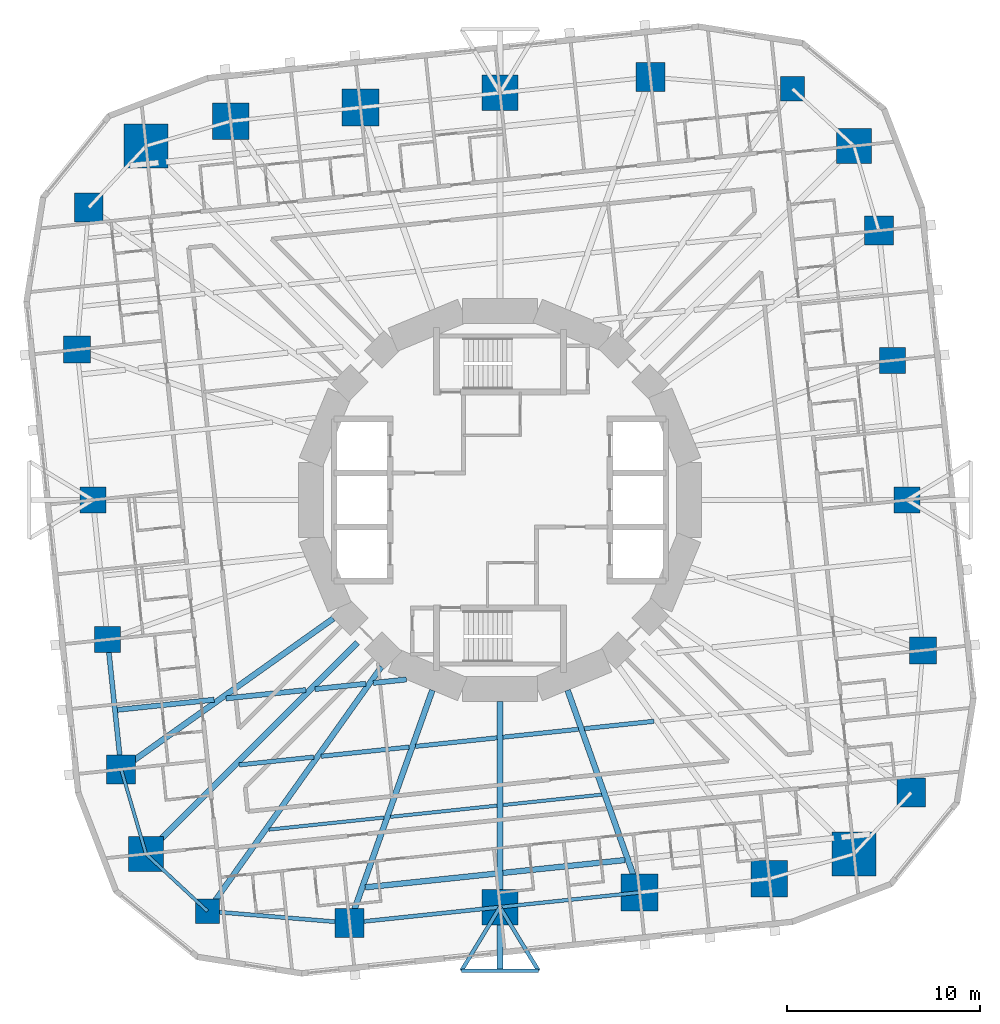
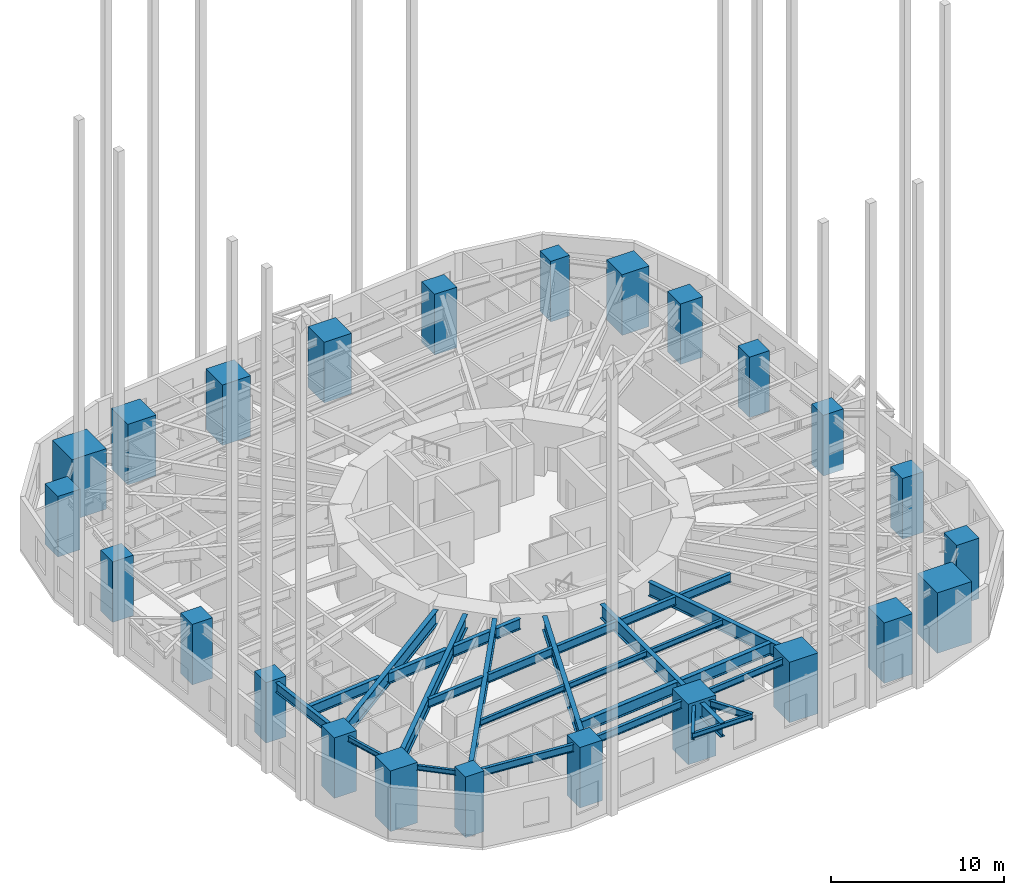
# One storey, part 1 of 13: 29 beams, 24 columns.
"""IFC4 building model written with IfcOpenShell, lengths in metres."""

import ifcopenshell
import ifcopenshell.guid

model = None  # the IFC model being written
_history = None  # IfcOwnerHistory: only IFC2X3 demands one
_inside = {}  # id of a spatial element -> (the spatial element, [elements in it])
_under = {}  # id of a project, library or spatial element -> (it, [spatial elements below it])
_declared = {}  # id of a project -> (the project, [libraries it declares])
_typed = {}  # id of a type object -> (the type object, [elements of that type])
_made_of = {}  # id of a material, layer set ... -> (it, [elements and type objects made of it])


def new_model(schema):
    """Start an empty IFC model of exactly this schema.

    Asked for "IFC4X3", IfcOpenShell would pick the latest addendum, in which some entities
    have other attributes; the version numbers below select the first issue.
    IFC2X3 requires an IfcOwnerHistory on every rooted entity: one is made here for all.
    """
    global model, _history
    if schema == "IFC4X3":
        model = ifcopenshell.file(schema_version=(4, 3, 0, 0))
    else:
        model = ifcopenshell.file(schema=schema)
    _inside.clear()
    _under.clear()
    _declared.clear()
    _typed.clear()
    _made_of.clear()
    _history = None
    if model.schema == "IFC2X3":
        org = make("IfcOrganization", Name="unknown")
        user = make(
            "IfcPersonAndOrganization",
            ThePerson=make("IfcPerson", FamilyName="unknown"),
            TheOrganization=org,
        )
        app = make(
            "IfcApplication",
            ApplicationDeveloper=org,
            Version="unknown",
            ApplicationFullName="unknown",
            ApplicationIdentifier="unknown",
        )
        _history = make(
            "IfcOwnerHistory",
            OwningUser=user,
            OwningApplication=app,
            ChangeAction="ADDED",
            CreationDate=0,
        )
    return model


def make(cls, **values):
    """One entity of the class cls with the attributes given. An attribute that is None is left unset."""
    return model.create_entity(
        cls, **{name: value for name, value in values.items() if value is not None}
    )


def rooted(cls, **values):
    """An entity with a GlobalId (a new one), such as an element, a storey or a relation."""
    return make(cls, GlobalId=ifcopenshell.guid.new(), OwnerHistory=_history, **values)


def si_unit(unit_type, name, prefix=None):
    """IfcSIUnit, for example si_unit("LENGTHUNIT", "METRE", prefix="MILLI")."""
    return make("IfcSIUnit", UnitType=unit_type, Prefix=prefix, Name=name)


def assignment(units):
    """IfcUnitAssignment: the units of a project."""
    return None if units is None else make("IfcUnitAssignment", Units=units)


def point(xyz):
    """IfcCartesianPoint."""
    return None if xyz is None else make("IfcCartesianPoint", Coordinates=xyz)


def direction(xyz):
    """IfcDirection."""
    return None if xyz is None else make("IfcDirection", DirectionRatios=xyz)


def frame(location, z_axis=None, x_axis=None):
    """IfcAxis2Placement3D, a coordinate frame: its origin and axes. An axis left out is left unset."""
    return make(
        "IfcAxis2Placement3D",
        Location=point(location),
        Axis=direction(z_axis),
        RefDirection=direction(x_axis),
    )


def frame_2d(location, x_axis=None):
    """IfcAxis2Placement2D, a coordinate frame in the plane: its origin and x axis."""
    return make(
        "IfcAxis2Placement2D", Location=point(location), RefDirection=direction(x_axis)
    )


def origin():
    """The frame at (0, 0, 0) with its axes left unset."""
    return frame((0.0, 0.0, 0.0))


def origin_2d():
    """The frame at (0, 0) in the plane with its x axis left unset."""
    return frame_2d((0.0, 0.0))


def place(relative_to, where):
    """IfcLocalPlacement: puts the frame where relative to a parent placement (None: the world)."""
    return make(
        "IfcLocalPlacement", PlacementRelTo=relative_to, RelativePlacement=where
    )


def context(
    kind, dimensions, precision=None, world=None, true_north=None, identifier=None
):
    """IfcGeometricRepresentationContext, for example the 3D "Model" context."""
    return make(
        "IfcGeometricRepresentationContext",
        ContextIdentifier=identifier,
        ContextType=kind,
        CoordinateSpaceDimension=dimensions,
        Precision=precision,
        WorldCoordinateSystem=world,
        TrueNorth=true_north,
    )


def subcontext(parent, identifier, kind, view, scale=None):
    """IfcGeometricRepresentationSubContext, for example "Body" below "Model"."""
    return make(
        "IfcGeometricRepresentationSubContext",
        ContextIdentifier=identifier,
        ContextType=kind,
        ParentContext=parent,
        TargetScale=scale,
        TargetView=view,
    )


def project(units=None, contexts=None):
    """IfcProject with its units and contexts."""
    return rooted(
        "IfcProject",
        Name="project",
        RepresentationContexts=contexts,
        UnitsInContext=assignment(units),
    )


def spatial(cls, under=None, at=None, **own):
    """A site, building, storey or space (cls), placed at a placement, below another one or the project."""
    s = rooted(cls, ObjectPlacement=at, **own)
    if under is not None:
        _under.setdefault(under.id(), (under, []))[1].append(s)
    return s


def profile(cls, at=None, kind="AREA", **sizes):
    """A parametric profile (cls). Its sizes go by their IFC names, for example OverallWidth=200.0."""
    return make(cls, ProfileType=kind, Position=at, **sizes)


def rectangle(**sizes):
    """IfcRectangleProfileDef."""
    return profile("IfcRectangleProfileDef", **sizes)


def i_section(**sizes):
    """IfcIShapeProfileDef."""
    return profile("IfcIShapeProfileDef", **sizes)


def extrude(swept, where, along, depth):
    """IfcExtrudedAreaSolid: the profile swept, set in the frame where, extruded along a direction by depth."""
    return make(
        "IfcExtrudedAreaSolid",
        SweptArea=swept,
        Position=where,
        ExtrudedDirection=direction(along),
        Depth=depth,
    )


def shape(context_of_items, identifier, shape_type, items):
    """IfcShapeRepresentation: the items that make up one representation, for example the "Body"."""
    return make(
        "IfcShapeRepresentation",
        ContextOfItems=context_of_items,
        RepresentationIdentifier=identifier,
        RepresentationType=shape_type,
        Items=items,
    )


def material(Name=None, Category=None):
    """IfcMaterial."""
    return make("IfcMaterial", Name=Name, Category=Category)


def material_profile(
    of_material, cross_section, Name=None, Category=None, Priority=None
):
    """IfcMaterialProfile: a cross section and its material."""
    return make(
        "IfcMaterialProfile",
        Name=Name,
        Material=of_material,
        Profile=cross_section,
        Priority=Priority,
        Category=Category,
    )


def profile_set(profiles, Name=None, composite=None):
    """IfcMaterialProfileSet."""
    return make(
        "IfcMaterialProfileSet",
        Name=Name,
        MaterialProfiles=profiles,
        CompositeProfile=composite,
    )


def made_of(thing, what):
    """Note that an element or type object is made of a material, layer set ...; save() writes the relation."""
    if what is not None:
        _made_of.setdefault(what.id(), (what, []))[1].append(thing)
    return thing


def type_object(cls, material=None, **own):
    """A type object (cls), such as IfcWallType, which elements share."""
    return made_of(rooted(cls, **own), material)


def element(
    cls,
    number,
    at=None,
    inside=None,
    cuts=None,
    type_object=None,
    material=None,
    context=None,
    identifier="Body",
    shape_type=None,
    held_by="IfcProductDefinitionShape",
    body=None,
    shapes=None,
    **own,
):
    """One element of the class cls, such as IfcWall. Its Tag is "e" and its number.

    at: its placement. inside: the storey or other place that contains it. cuts: it is an
    opening in that element (IfcRelVoidsElement). A single representation is given by context,
    identifier, shape_type and body (its items); several are given by shapes. held_by: the class
    of the entity that holds the representations. save() writes the other relations.
    """
    e = rooted(cls, Tag="e%d" % number, ObjectPlacement=at, **own)
    if body is not None:
        shapes = [shape(context, identifier, shape_type, body)]
    if shapes is not None:
        e.Representation = make(held_by, Representations=shapes)
    if inside is not None:
        _inside.setdefault(inside.id(), (inside, []))[1].append(e)
    if cuts is not None:
        rooted(
            "IfcRelVoidsElement", RelatingBuildingElement=cuts, RelatedOpeningElement=e
        )
    if type_object is not None:
        _typed.setdefault(type_object.id(), (type_object, []))[1].append(e)
    return made_of(e, material)


def aggregate(whole, parts):
    """IfcRelAggregates: a whole, such as a stair, and the parts it consists of."""
    return rooted("IfcRelAggregates", RelatingObject=whole, RelatedObjects=parts)


def save(model, path):
    """Write the relations noted so far, then the file.

    IfcRelAggregates (storeys below a building ...), IfcRelContainedInSpatialStructure (elements
    in a storey), IfcRelDefinesByType, IfcRelAssociatesMaterial and IfcRelDeclares: one each for
    every whole, place, type object, material and project.
    """
    for whole, parts in _under.values():
        aggregate(whole, parts)
    for where, things in _inside.values():
        rooted(
            "IfcRelContainedInSpatialStructure",
            RelatedElements=things,
            RelatingStructure=where,
        )
    for kind, things in _typed.values():
        rooted("IfcRelDefinesByType", RelatedObjects=things, RelatingType=kind)
    for what, things in _made_of.values():
        rooted("IfcRelAssociatesMaterial", RelatedObjects=things, RelatingMaterial=what)
    for by, libraries in _declared.values():
        rooted("IfcRelDeclares", RelatingContext=by, RelatedDefinitions=libraries)
    model.write(path)


model = new_model("IFC4")

# Units and contexts
model_context = context("Model", 3, precision=1e-05, world=origin(), true_north=direction((0.0, 1.0)))
body_context = subcontext(model_context, "Body", "Model", "MODEL_VIEW")
ifc_project = project(units=[si_unit("LENGTHUNIT", "METRE"), si_unit("AREAUNIT", "SQUARE_METRE"), si_unit("VOLUMEUNIT", "CUBIC_METRE"), si_unit("PLANEANGLEUNIT", "RADIAN"), si_unit("MASSUNIT", "GRAM", prefix="KILO")], contexts=[model_context])

# Site, building, storey
site_placement = place(None, origin())
site = spatial("IfcSite", under=ifc_project, at=site_placement, CompositionType="ELEMENT")
building_placement = place(site_placement, origin())
building = spatial("IfcBuilding", under=site, at=building_placement, Name="Nakasero Lantern House", CompositionType="ELEMENT")
storey_placement = place(building_placement, frame((0.0, 0.0, 60.5)))
storey = spatial("IfcBuildingStorey", under=building, at=storey_placement, Name="L14", CompositionType="ELEMENT", Elevation=60.5)

# Columns
ifc_material_1 = material(Name="Concrete C50/60", Category="concrete")
ifc_material_profile_1 = material_profile(ifc_material_1, rectangle(XDim=1.800048828125, YDim=1.800048828125, at=origin_2d()), Name="RC 1800x1800")
ifc_profile_set_1 = profile_set([ifc_material_profile_1], Name="Concrete C50/60")
column_type_1 = type_object("IfcColumnType", Name="Mega column RC 1800x1800 C50/60", PredefinedType="COLUMN", material=ifc_profile_set_1)
for number, where, z_axis, x_axis, name in (
    (1, (18.359375, 18.359375, -0.437255859375), (0.0, 0.0, 1.0), (1.0, 0.0, 0.0), "Column B2-C06 L14"),
    (2, (-18.359375, -18.359375, -0.437255859375), (0.0, 0.0, 1.0), (1.0, 0.0, 0.0), "Column B2-C18 L14"),
):
    element("IfcColumn", number, at=place(storey_placement, frame(where, z_axis=z_axis, x_axis=x_axis)), inside=storey, type_object=column_type_1, Name=name, PredefinedType="COLUMN", context=body_context, shape_type="SweptSolid", body=[
        extrude(rectangle(XDim=1.800048828125, YDim=1.800048828125, at=origin_2d()), origin(), (0.0, 0.0, 1.0), 4.287353515625),
    ])
ifc_material_2 = material(Name="Concrete C50/60", Category="concrete")
ifc_material_profile_2 = material_profile(ifc_material_2, rectangle(XDim=2.300048828125, YDim=2.300048828125, at=origin_2d()), Name="RC 2300x2300")
ifc_profile_set_2 = profile_set([ifc_material_profile_2], Name="Concrete C50/60")
column_type_2 = type_object("IfcColumnType", Name="Mega column RC 2300x2300 C50/60", PredefinedType="COLUMN", material=ifc_profile_set_2)
for number, where, z_axis, x_axis, name in (
    (3, (-18.359375, 18.359375, -0.437255859375), (0.0, 0.0, 1.0), (1.0, 0.0, 0.0), "Column B2-C12 L14"),
    (4, (18.359375, -18.359375, -0.437255859375), (0.0, 0.0, 1.0), (1.0, 0.0, 0.0), "Column B2-C24 L14"),
):
    element("IfcColumn", number, at=place(storey_placement, frame(where, z_axis=z_axis, x_axis=x_axis)), inside=storey, type_object=column_type_2, Name=name, PredefinedType="COLUMN", context=body_context, shape_type="SweptSolid", body=[
        extrude(rectangle(XDim=2.300048828125, YDim=2.300048828125, at=origin_2d()), origin(), (0.0, 0.0, 1.0), 4.287353515625),
    ])
ifc_material_3 = material(Name="Concrete C50/60", Category="concrete")
ifc_material_profile_3 = material_profile(ifc_material_3, rectangle(XDim=1.25, YDim=1.25, at=origin_2d()), Name="RC 1250x1250")
ifc_profile_set_3 = profile_set([ifc_material_profile_3], Name="Concrete C50/60")
column_type_3 = type_object("IfcColumnType", Name="Ring column RC 1250x1250 C50/60", PredefinedType="COLUMN", material=ifc_profile_set_3)
for number, where, z_axis, x_axis, name in (
    (5, (15.16650390625, 21.327880859375, -0.437255859375), (0.0, 0.0, 1.0), (1.0, 0.0, 0.0), "Column B2-C07 L14"),
    (6, (-15.16650390625, -21.327880859375, -0.437255859375), (0.0, 0.0, 1.0), (1.0, 0.0, 0.0), "Column B2-C19 L14"),
):
    element("IfcColumn", number, at=place(storey_placement, frame(where, z_axis=z_axis, x_axis=x_axis)), inside=storey, type_object=column_type_3, Name=name, PredefinedType="COLUMN", context=body_context, shape_type="SweptSolid", body=[
        extrude(rectangle(XDim=1.25, YDim=1.25, at=origin_2d()), origin(), (0.0, 0.0, 1.0), 4.287353515625),
    ])
ifc_material_4 = material(Name="Concrete C50/60", Category="concrete")
ifc_material_profile_4 = material_profile(ifc_material_4, rectangle(XDim=1.35009765625, YDim=1.35009765625, at=origin_2d()), Name="RC 1350x1350")
ifc_profile_set_4 = profile_set([ifc_material_profile_4], Name="Concrete C50/60")
column_type_4 = type_object("IfcColumnType", Name="Ring column RC 1350x1350 C50/60", PredefinedType="COLUMN", material=ifc_profile_set_4)
for number, where, z_axis, x_axis, name in (
    (7, (21.11572265625, 0.0, -0.437255859375), (0.0, 0.0, 1.0), (1.0, 0.0, 0.0), "Column B2-C03 L14"),
    (8, (20.35498046875, 7.2373046875, -0.437255859375), (0.0, 0.0, 1.0), (1.0, 0.0, 0.0), "Column B2-C04 L14"),
    (9, (-21.11572265625, 0.0, -0.437255859375), (0.0, 0.0, 1.0), (1.0, 0.0, 0.0), "Column B2-C15 L14"),
    (10, (-20.35498046875, -7.2373046875, -0.437255859375), (0.0, 0.0, 1.0), (1.0, 0.0, 0.0), "Column B2-C16 L14"),
):
    element("IfcColumn", number, at=place(storey_placement, frame(where, z_axis=z_axis, x_axis=x_axis)), inside=storey, type_object=column_type_4, Name=name, PredefinedType="COLUMN", context=body_context, shape_type="SweptSolid", body=[
        extrude(rectangle(XDim=1.35009765625, YDim=1.35009765625, at=origin_2d()), origin(), (0.0, 0.0, 1.0), 4.287353515625),
    ])
ifc_material_5 = material(Name="Concrete C50/60", Category="concrete")
ifc_material_profile_5 = material_profile(ifc_material_5, rectangle(XDim=1.39990234375, YDim=1.39990234375, at=origin_2d()), Name="RC 1400x1400")
ifc_profile_set_5 = profile_set([ifc_material_profile_5], Name="Concrete C50/60")
column_type_5 = type_object("IfcColumnType", Name="Ring column RC 1400x1400 C50/60", PredefinedType="COLUMN", material=ifc_profile_set_5)
for number, where, z_axis, x_axis, name in (
    (11, (21.935302734375, -7.79931640625, -0.437255859375), (0.0, 0.0, 1.0), (1.0, 0.0, 0.0), "Column B2-C02 L14"),
    (12, (-21.935302734375, 7.79931640625, -0.437255859375), (0.0, 0.0, 1.0), (1.0, 0.0, 0.0), "Column B2-C14 L14"),
):
    element("IfcColumn", number, at=place(storey_placement, frame(where, z_axis=z_axis, x_axis=x_axis)), inside=storey, type_object=column_type_5, Name=name, PredefinedType="COLUMN", context=body_context, shape_type="SweptSolid", body=[
        extrude(rectangle(XDim=1.39990234375, YDim=1.39990234375, at=origin_2d()), origin(), (0.0, 0.0, 1.0), 4.287353515625),
    ])
ifc_material_6 = material(Name="Concrete C50/60", Category="concrete")
ifc_material_profile_6 = material_profile(ifc_material_6, rectangle(XDim=1.5, YDim=1.5, at=origin_2d()), Name="RC 1500x1500")
ifc_profile_set_6 = profile_set([ifc_material_profile_6], Name="Concrete C50/60")
column_type_6 = type_object("IfcColumnType", Name="Ring column RC 1500x1500 C50/60", PredefinedType="COLUMN", material=ifc_profile_set_6)
for number, where, z_axis, x_axis, name in (
    (13, (21.327880859375, -15.16650390625, -0.437255859375), (0.0, 0.0, 1.0), (1.0, 0.0, 0.0), "Column B2-C01 L14"),
    (14, (19.647216796875, 13.971435546875, -0.437255859375), (0.0, 0.0, 1.0), (1.0, 0.0, 0.0), "Column B2-C05 L14"),
    (15, (7.79931640625, 21.935302734375, -0.437255859375), (0.0, 0.0, 1.0), (1.0, 0.0, 0.0), "Column B2-C08 L14"),
    (16, (-21.327880859375, 15.16650390625, -0.437255859375), (0.0, 0.0, 1.0), (1.0, 0.0, 0.0), "Column B2-C13 L14"),
    (17, (-19.647216796875, -13.971435546875, -0.437255859375), (0.0, 0.0, 1.0), (1.0, 0.0, 0.0), "Column B2-C17 L14"),
    (18, (-7.79931640625, -21.935302734375, -0.437255859375), (0.0, 0.0, 1.0), (1.0, 0.0, 0.0), "Column B2-C20 L14"),
):
    element("IfcColumn", number, at=place(storey_placement, frame(where, z_axis=z_axis, x_axis=x_axis)), inside=storey, type_object=column_type_6, Name=name, PredefinedType="COLUMN", context=body_context, shape_type="SweptSolid", body=[
        extrude(rectangle(XDim=1.5, YDim=1.5, at=origin_2d()), origin(), (0.0, 0.0, 1.0), 4.287353515625),
    ])
ifc_material_7 = material(Name="Concrete C50/60", Category="concrete")
ifc_material_profile_7 = material_profile(ifc_material_7, rectangle(XDim=1.85009765625, YDim=1.85009765625, at=origin_2d()), Name="RC 1850x1850")
ifc_profile_set_7 = profile_set([ifc_material_profile_7], Name="Concrete C50/60")
column_type_7 = type_object("IfcColumnType", Name="Ring column RC 1850x1850 C50/60", PredefinedType="COLUMN", material=ifc_profile_set_7)
for number, where, z_axis, x_axis, name in (
    (19, (0.0, 21.11572265625, -0.437255859375), (0.0, 0.0, 1.0), (1.0, 0.0, 0.0), "Column B2-C09 L14"),
    (20, (0.0, -21.11572265625, -0.437255859375), (0.0, 0.0, 1.0), (1.0, 0.0, 0.0), "Column B2-C21 L14"),
):
    element("IfcColumn", number, at=place(storey_placement, frame(where, z_axis=z_axis, x_axis=x_axis)), inside=storey, type_object=column_type_7, Name=name, PredefinedType="COLUMN", context=body_context, shape_type="SweptSolid", body=[
        extrude(rectangle(XDim=1.85009765625, YDim=1.85009765625, at=origin_2d()), origin(), (0.0, 0.0, 1.0), 4.287353515625),
    ])
ifc_material_8 = material(Name="Concrete C50/60", Category="concrete")
ifc_material_profile_8 = material_profile(ifc_material_8, rectangle(XDim=1.89990234375, YDim=1.89990234375, at=origin_2d()), Name="RC 1900x1900")
ifc_profile_set_8 = profile_set([ifc_material_profile_8], Name="Concrete C50/60")
column_type_8 = type_object("IfcColumnType", Name="Ring column RC 1900x1900 C50/60", PredefinedType="COLUMN", material=ifc_profile_set_8)
for number, where, z_axis, x_axis, name in (
    (21, (-7.2373046875, 20.35498046875, -0.437255859375), (0.0, 0.0, 1.0), (1.0, 0.0, 0.0), "Column B2-C10 L14"),
    (22, (-13.971435546875, 19.647216796875, -0.437255859375), (0.0, 0.0, 1.0), (1.0, 0.0, 0.0), "Column B2-C11 L14"),
    (23, (7.2373046875, -20.35498046875, -0.437255859375), (0.0, 0.0, 1.0), (1.0, 0.0, 0.0), "Column B2-C22 L14"),
    (24, (13.971435546875, -19.647216796875, -0.437255859375), (0.0, 0.0, 1.0), (1.0, 0.0, 0.0), "Column B2-C23 L14"),
):
    element("IfcColumn", number, at=place(storey_placement, frame(where, z_axis=z_axis, x_axis=x_axis)), inside=storey, type_object=column_type_8, Name=name, PredefinedType="COLUMN", context=body_context, shape_type="SweptSolid", body=[
        extrude(rectangle(XDim=1.89990234375, YDim=1.89990234375, at=origin_2d()), origin(), (0.0, 0.0, 1.0), 4.287353515625),
    ])

# Beams
ifc_material_9 = material(Name="Steel S355", Category="steel")
ifc_material_profile_9 = material_profile(ifc_material_9, i_section(OverallWidth=0.199462890625, OverallDepth=0.491943359375, WebThickness=0.01806640625, FlangeThickness=0.031982421875, FilletRadius=0.01025390625, at=origin_2d()), Name="UB 457x191x161")
ifc_profile_set_9 = profile_set([ifc_material_profile_9], Name="Steel S355")
beam_type_1 = type_object("IfcBeamType", Name="Balcony splay beam UB 457x191x161", PredefinedType="BEAM", material=ifc_profile_set_9)
for number, where, z_axis, x_axis, name in (
    (25, (0.0, -21.11572265625, 3.404052734375), (0.518296107317, -0.855201230787, 0.0), (0.855201230787, 0.518296107317, 0.0), "Balcony splay beam L15 B2-C21A"),
    (26, (0.0, -21.11572265625, 3.404052734375), (-0.518296107317, -0.855201230787, 0.0), (0.855201230787, -0.518296107317, 0.0), "Balcony splay beam L15 B2-C21B"),
):
    element("IfcBeam", number, at=place(storey_placement, frame(where, z_axis=z_axis, x_axis=x_axis)), inside=storey, type_object=beam_type_1, Name=name, PredefinedType="BEAM", context=body_context, shape_type="SweptSolid", body=[
        extrude(i_section(OverallWidth=0.199462890625, OverallDepth=0.491943359375, WebThickness=0.01806640625, FlangeThickness=0.031982421875, FilletRadius=0.01025390625, at=origin_2d()), origin(), (0.0, 0.0, 1.0), 3.85888671875),
    ])
ifc_material_10 = material(Name="Steel S355", Category="steel")
ifc_material_profile_10 = material_profile(ifc_material_10, i_section(OverallWidth=0.17138671875, OverallDepth=0.35498046875, WebThickness=0.00732421875, FlangeThickness=0.011474609375, FilletRadius=0.01025390625, at=origin_2d()), Name="UB 356x171x51")
ifc_profile_set_10 = profile_set([ifc_material_profile_10], Name="Steel S355")
beam_type_2 = type_object("IfcBeamType", Name="Balcony tie beam UB 356x171x51", PredefinedType="BEAM", material=ifc_profile_set_10)
beam_1_placement = place(storey_placement, frame((2.0, -24.415771484375, 3.472412109375), z_axis=(-1.0, 0.0, 0.0), x_axis=(0.0, -1.0, 0.0)))
element("IfcBeam", 27, at=beam_1_placement, inside=storey, type_object=beam_type_2, Name="Balcony tie beam L15 B2-C21", PredefinedType="BEAM", context=body_context, shape_type="SweptSolid", body=[
    extrude(i_section(OverallWidth=0.17138671875, OverallDepth=0.35498046875, WebThickness=0.00732421875, FlangeThickness=0.011474609375, FilletRadius=0.01025390625, at=origin_2d()), origin(), (0.0, 0.0, 1.0), 4.0),
])
ifc_material_11 = material(Name="Steel S355", Category="steel")
ifc_material_profile_11 = material_profile(ifc_material_11, i_section(OverallWidth=0.177978515625, OverallDepth=0.406494140625, WebThickness=0.0078125, FlangeThickness=0.0126953125, FilletRadius=0.01025390625, at=origin_2d()), Name="UB 406x178x60")
ifc_profile_set_11 = profile_set([ifc_material_profile_11], Name="Steel S355")
beam_type_3 = type_object("IfcBeamType", Name="Infill beam UB 406x178x60", PredefinedType="JOIST", material=ifc_profile_set_11)
beam_2_placement = place(storey_placement, frame((-11.9775390625, -17.095703125, 3.44677734375), z_axis=(0.994521729164, 0.104530044579, 0.0), x_axis=(-0.104530044579, 0.994521729164, 0.0)))
element("IfcBeam", 28, at=beam_2_placement, inside=storey, type_object=beam_type_3, Name="Infill beam L15 03.1", PredefinedType="JOIST", context=body_context, shape_type="SweptSolid", body=[
    extrude(i_section(OverallWidth=0.177978515625, OverallDepth=0.406494140625, WebThickness=0.0078125, FlangeThickness=0.0126953125, FilletRadius=0.01025390625, at=origin_2d()), origin(), (0.0, 0.0, 1.0), 5.99560546875),
])
beam_3_placement = place(storey_placement, frame((-5.68408203125, -16.43408203125, 3.44677734375), z_axis=(0.994524188375, 0.104506644464, 0.0), x_axis=(-0.104506644464, 0.994524188375, 0.0)))
element("IfcBeam", 29, at=beam_3_placement, inside=storey, type_object=beam_type_3, Name="Infill beam L15 03.2", PredefinedType="JOIST", context=body_context, shape_type="SweptSolid", body=[
    extrude(i_section(OverallWidth=0.177978515625, OverallDepth=0.406494140625, WebThickness=0.0078125, FlangeThickness=0.0126953125, FilletRadius=0.01025390625, at=origin_2d()), origin(), (0.0, 0.0, 1.0), 5.564697265625),
])
beam_4_placement = place(storey_placement, frame((0.14990234375, -15.821044921875, 3.44677734375), z_axis=(0.994522574566, 0.104522000929, 0.0), x_axis=(-0.104522000929, 0.994522574566, 0.0)))
element("IfcBeam", 30, at=beam_4_placement, inside=storey, type_object=beam_type_3, Name="Infill beam L15 03.3", PredefinedType="JOIST", context=body_context, shape_type="SweptSolid", body=[
    extrude(i_section(OverallWidth=0.177978515625, OverallDepth=0.406494140625, WebThickness=0.0078125, FlangeThickness=0.0126953125, FilletRadius=0.01025390625, at=origin_2d()), origin(), (0.0, 0.0, 1.0), 5.15283203125),
])
ifc_material_12 = material(Name="Steel S355", Category="steel")
ifc_material_profile_12 = material_profile(ifc_material_12, i_section(OverallWidth=0.22900390625, OverallDepth=0.6123046875, WebThickness=0.011962890625, FlangeThickness=0.01953125, FilletRadius=0.0126953125, at=origin_2d()), Name="UB 610x229x125")
ifc_profile_set_12 = profile_set([ifc_material_profile_12], Name="Steel S355")
beam_type_4 = type_object("IfcBeamType", Name="Infill beam UB 610x229x125", PredefinedType="JOIST", material=ifc_profile_set_12)
beam_5_placement = place(storey_placement, frame((-13.527099609375, -13.7392578125, 3.343994140625), z_axis=(0.99451886442, 0.10455729679, 0.0), x_axis=(-0.10455729679, 0.99451886442, 0.0)))
element("IfcBeam", 31, at=beam_5_placement, inside=storey, type_object=beam_type_4, Name="Infill beam L15 04.1", PredefinedType="JOIST", context=body_context, shape_type="SweptSolid", body=[
    extrude(i_section(OverallWidth=0.22900390625, OverallDepth=0.6123046875, WebThickness=0.011962890625, FlangeThickness=0.01953125, FilletRadius=0.0126953125, at=origin_2d()), origin(), (0.0, 0.0, 1.0), 3.8876953125),
])
beam_6_placement = place(storey_placement, frame((-9.272705078125, -13.2919921875, 3.343994140625), z_axis=(0.994522952874, 0.104518401282, 0.0), x_axis=(-0.104518401282, 0.994522952874, 0.0)))
element("IfcBeam", 32, at=beam_6_placement, inside=storey, type_object=beam_type_4, Name="Infill beam L15 04.2", PredefinedType="JOIST", context=body_context, shape_type="SweptSolid", body=[
    extrude(i_section(OverallWidth=0.22900390625, OverallDepth=0.6123046875, WebThickness=0.011962890625, FlangeThickness=0.01953125, FilletRadius=0.0126953125, at=origin_2d()), origin(), (0.0, 0.0, 1.0), 4.5830078125),
])
beam_7_placement = place(storey_placement, frame((-4.38427734375, -12.7783203125, 3.343994140625), z_axis=(0.994521465317, 0.104532554847, 0.0), x_axis=(-0.104532554847, 0.994521465317, 0.0)))
element("IfcBeam", 33, at=beam_7_placement, inside=storey, type_object=beam_type_4, Name="Infill beam L15 04.3", PredefinedType="JOIST", context=body_context, shape_type="SweptSolid", body=[
    extrude(i_section(OverallWidth=0.22900390625, OverallDepth=0.6123046875, WebThickness=0.011962890625, FlangeThickness=0.01953125, FilletRadius=0.0126953125, at=origin_2d()), origin(), (0.0, 0.0, 1.0), 4.2578125),
])
beam_8_placement = place(storey_placement, frame((0.14990234375, -12.3017578125, 3.343994140625), z_axis=(0.994521399206, 0.104533183829, 0.0), x_axis=(-0.104533183829, 0.994521399206, 0.0)))
element("IfcBeam", 34, at=beam_8_placement, inside=storey, type_object=beam_type_4, Name="Infill beam L15 04.4", PredefinedType="JOIST", context=body_context, shape_type="SweptSolid", body=[
    extrude(i_section(OverallWidth=0.22900390625, OverallDepth=0.6123046875, WebThickness=0.011962890625, FlangeThickness=0.01953125, FilletRadius=0.0126953125, at=origin_2d()), origin(), (0.0, 0.0, 1.0), 3.93994140625),
])
beam_9_placement = place(storey_placement, frame((4.375244140625, -11.857666015625, 3.343994140625), z_axis=(0.994523507044, 0.104513128058, 0.0), x_axis=(-0.104513128058, 0.994523507044, 0.0)))
element("IfcBeam", 35, at=beam_9_placement, inside=storey, type_object=beam_type_4, Name="Infill beam L15 04.5", PredefinedType="JOIST", context=body_context, shape_type="SweptSolid", body=[
    extrude(i_section(OverallWidth=0.22900390625, OverallDepth=0.6123046875, WebThickness=0.011962890625, FlangeThickness=0.01953125, FilletRadius=0.0126953125, at=origin_2d()), origin(), (0.0, 0.0, 1.0), 3.627685546875),
])
ifc_material_13 = material(Name="Steel S355", Category="steel")
ifc_material_profile_13 = material_profile(ifc_material_13, i_section(OverallWidth=0.2666015625, OverallDepth=0.76220703125, WebThickness=0.014404296875, FlangeThickness=0.021484375, FilletRadius=0.0166015625, at=origin_2d()), Name="UB 762x267x173")
ifc_profile_set_13 = profile_set([ifc_material_profile_13], Name="Steel S355")
beam_type_5 = type_object("IfcBeamType", Name="Infill beam UB 762x267x173", PredefinedType="JOIST", material=ifc_profile_set_13)
beam_10_placement = place(storey_placement, frame((-19.843017578125, -10.8837890625, 3.268798828125), z_axis=(0.994522938326, 0.104518539716, 0.0), x_axis=(-0.104518539716, 0.994522938326, 0.0)))
element("IfcBeam", 36, at=beam_10_placement, inside=storey, type_object=beam_type_5, Name="Infill beam L15 05.1", PredefinedType="JOIST", context=body_context, shape_type="SweptSolid", body=[
    extrude(i_section(OverallWidth=0.2666015625, OverallDepth=0.76220703125, WebThickness=0.014404296875, FlangeThickness=0.021484375, FilletRadius=0.0166015625, at=origin_2d()), origin(), (0.0, 0.0, 1.0), 5.04541015625),
])
beam_11_placement = place(storey_placement, frame((-14.211669921875, -10.2919921875, 3.268798828125), z_axis=(0.994519573184, 0.104550555012, 0.0), x_axis=(-0.104550555012, 0.994519573184, 0.0)))
element("IfcBeam", 37, at=beam_11_placement, inside=storey, type_object=beam_type_5, Name="Infill beam L15 05.2", PredefinedType="JOIST", context=body_context, shape_type="SweptSolid", body=[
    extrude(i_section(OverallWidth=0.2666015625, OverallDepth=0.76220703125, WebThickness=0.014404296875, FlangeThickness=0.021484375, FilletRadius=0.0166015625, at=origin_2d()), origin(), (0.0, 0.0, 1.0), 4.166015625),
])
beam_12_placement = place(storey_placement, frame((-9.594482421875, -9.806640625, 3.268798828125), z_axis=(0.994521575627, 0.104531505358, 0.0), x_axis=(-0.104531505358, 0.994521575627, 0.0)))
element("IfcBeam", 38, at=beam_12_placement, inside=storey, type_object=beam_type_5, Name="Infill beam L15 05.3", PredefinedType="JOIST", context=body_context, shape_type="SweptSolid", body=[
    extrude(i_section(OverallWidth=0.2666015625, OverallDepth=0.76220703125, WebThickness=0.014404296875, FlangeThickness=0.021484375, FilletRadius=0.0166015625, at=origin_2d()), origin(), (0.0, 0.0, 1.0), 2.6533203125),
])
beam_13_placement = place(storey_placement, frame((-6.568115234375, -9.488525390625, 3.268798828125), z_axis=(0.994529501552, 0.104456069922, 0.0), x_axis=(-0.104456069922, 0.994529501552, 0.0)))
element("IfcBeam", 39, at=beam_13_placement, inside=storey, type_object=beam_type_5, Name="Infill beam L15 05.4", PredefinedType="JOIST", context=body_context, shape_type="SweptSolid", body=[
    extrude(i_section(OverallWidth=0.2666015625, OverallDepth=0.76220703125, WebThickness=0.014404296875, FlangeThickness=0.021484375, FilletRadius=0.0166015625, at=origin_2d()), origin(), (0.0, 0.0, 1.0), 1.72265625),
])
ifc_material_14 = material(Name="Steel S355", Category="steel")
ifc_material_profile_14 = material_profile(ifc_material_14, i_section(OverallWidth=0.29248046875, OverallDepth=0.8408203125, WebThickness=0.0146484375, FlangeThickness=0.02685546875, FilletRadius=0.017822265625, at=origin_2d()), Name="UB 838x292x194")
ifc_profile_set_14 = profile_set([ifc_material_profile_14], Name="Steel S355")
beam_type_6 = type_object("IfcBeamType", Name="Infill beam UB 838x292x194", PredefinedType="JOIST", material=ifc_profile_set_14)
beam_14_placement = place(storey_placement, frame((-6.98388671875, -20.090087890625, 3.229736328125), z_axis=(0.994522182542, 0.10452573096, 0.0), x_axis=(-0.10452573096, 0.994522182542, 0.0)))
element("IfcBeam", 40, at=beam_14_placement, inside=storey, type_object=beam_type_6, Name="Infill beam L15 02.1", PredefinedType="JOIST", context=body_context, shape_type="SweptSolid", body=[
    extrude(i_section(OverallWidth=0.29248046875, OverallDepth=0.8408203125, WebThickness=0.0146484375, FlangeThickness=0.02685546875, FilletRadius=0.017822265625, at=origin_2d()), origin(), (0.0, 0.0, 1.0), 6.87158203125),
])
beam_15_placement = place(storey_placement, frame((0.14990234375, -19.34033203125, 3.229736328125), z_axis=(0.994519733917, 0.104549026056, 0.0), x_axis=(-0.104549026056, 0.994519733917, 0.0)))
element("IfcBeam", 41, at=beam_15_placement, inside=storey, type_object=beam_type_6, Name="Infill beam L15 02.2", PredefinedType="JOIST", context=body_context, shape_type="SweptSolid", body=[
    extrude(i_section(OverallWidth=0.29248046875, OverallDepth=0.8408203125, WebThickness=0.0146484375, FlangeThickness=0.02685546875, FilletRadius=0.017822265625, at=origin_2d()), origin(), (0.0, 0.0, 1.0), 6.36572265625),
])
ifc_material_15 = material(Name="Steel S355", Category="steel")
ifc_material_profile_15 = material_profile(ifc_material_15, i_section(OverallWidth=0.300048828125, OverallDepth=0.97998046875, WebThickness=0.0166015625, FlangeThickness=0.02587890625, FilletRadius=0.030029296875, at=origin_2d()), Name="UB 1016x305x249")
ifc_profile_set_15 = profile_set([ifc_material_profile_15], Name="Steel S355")
beam_type_7 = type_object("IfcBeamType", Name="Primary beam UB 1016x305x249, span 12 to 15 m", PredefinedType="BEAM", material=ifc_profile_set_15)
beam_16_placement = place(storey_placement, frame((-7.79931640625, -21.935302734375, 3.159912109375), z_axis=(0.335017564047, 0.942211882636, 0.0), x_axis=(-0.942211882636, 0.335017564047, 0.0)))
element("IfcBeam", 42, at=beam_16_placement, inside=storey, type_object=beam_type_7, Name="Primary beam L15 B2-C20", PredefinedType="BEAM", context=body_context, shape_type="SweptSolid", body=[
    extrude(i_section(OverallWidth=0.300048828125, OverallDepth=0.97998046875, WebThickness=0.0166015625, FlangeThickness=0.02587890625, FilletRadius=0.030029296875, at=origin_2d()), origin(), (0.0, 0.0, 1.0), 12.80908203125),
])
ifc_material_16 = material(Name="Steel S355", Category="steel")
ifc_material_profile_16 = material_profile(ifc_material_16, i_section(OverallWidth=0.300048828125, OverallDepth=0.97998046875, WebThickness=0.0166015625, FlangeThickness=0.02587890625, FilletRadius=0.030029296875, at=origin_2d()), Name="UB 1016x305x249")
ifc_profile_set_16 = profile_set([ifc_material_profile_16], Name="Steel S355")
beam_type_8 = type_object("IfcBeamType", Name="Primary beam UB 1016x305x249, span 9 to 12 m", PredefinedType="BEAM", material=ifc_profile_set_16)
beam_17_placement = place(storey_placement, frame((7.2373046875, -20.35498046875, 3.159912109375), z_axis=(-0.335009234979, 0.942214844119, 0.0), x_axis=(-0.942214844119, -0.335009234979, 0.0)))
element("IfcBeam", 43, at=beam_17_placement, inside=storey, type_object=beam_type_8, Name="Primary beam L15 B2-C22", PredefinedType="BEAM", context=body_context, shape_type="SweptSolid", body=[
    extrude(i_section(OverallWidth=0.300048828125, OverallDepth=0.97998046875, WebThickness=0.0166015625, FlangeThickness=0.02587890625, FilletRadius=0.030029296875, at=origin_2d()), origin(), (0.0, 0.0, 1.0), 11.1318359375),
])
ifc_material_17 = material(Name="Steel S355", Category="steel")
ifc_material_profile_17 = material_profile(ifc_material_17, i_section(OverallWidth=0.300048828125, OverallDepth=0.989990234375, WebThickness=0.0166015625, FlangeThickness=0.031005859375, FilletRadius=0.030029296875, at=origin_2d()), Name="UB 1016x305x272")
ifc_profile_set_17 = profile_set([ifc_material_profile_17], Name="Steel S355")
beam_type_9 = type_object("IfcBeamType", Name="Primary beam UB 1016x305x272, span 9 to 12 m", PredefinedType="BEAM", material=ifc_profile_set_17)
beam_18_placement = place(storey_placement, frame((0.0, -24.415771484375, 3.155029296875), z_axis=(0.0, 1.0, 0.0), x_axis=(-1.0, 0.0, 0.0)))
element("IfcBeam", 44, at=beam_18_placement, inside=storey, type_object=beam_type_9, Name="Primary beam L15 B2-C21", PredefinedType="BEAM", context=body_context, shape_type="SweptSolid", body=[
    extrude(i_section(OverallWidth=0.300048828125, OverallDepth=0.989990234375, WebThickness=0.0166015625, FlangeThickness=0.031005859375, FilletRadius=0.030029296875, at=origin_2d()), origin(), (0.0, 0.0, 1.0), 13.9580078125),
])
ifc_material_18 = material(Name="Steel S355", Category="steel")
ifc_material_profile_18 = material_profile(ifc_material_18, i_section(OverallWidth=0.300048828125, OverallDepth=1.0, WebThickness=0.01904296875, FlangeThickness=0.035888671875, FilletRadius=0.030029296875, at=origin_2d()), Name="UB 1016x305x314")
ifc_profile_set_18 = profile_set([ifc_material_profile_18], Name="Steel S355")
beam_type_10 = type_object("IfcBeamType", Name="Primary beam UB 1016x305x314, span over 15 m", PredefinedType="BEAM", material=ifc_profile_set_18)
beam_19_placement = place(storey_placement, frame((-18.359375, -18.359375, 3.150146484375), z_axis=(0.707106781187, 0.707106781187, 0.0), x_axis=(-0.707106781187, 0.707106781187, 0.0)))
element("IfcBeam", 45, at=beam_19_placement, inside=storey, type_object=beam_type_10, Name="Primary beam L15 B2-C18", PredefinedType="BEAM", context=body_context, shape_type="SweptSolid", body=[
    extrude(i_section(OverallWidth=0.300048828125, OverallDepth=1.0, WebThickness=0.01904296875, FlangeThickness=0.035888671875, FilletRadius=0.030029296875, at=origin_2d()), origin(), (0.0, 0.0, 1.0), 15.50634765625),
])
ifc_material_19 = material(Name="Steel S355", Category="steel")
ifc_material_profile_19 = material_profile(ifc_material_19, i_section(OverallWidth=0.302978515625, OverallDepth=1.015869140625, WebThickness=0.0244140625, FlangeThickness=0.0439453125, FilletRadius=0.030029296875, at=origin_2d()), Name="UB 1016x305x393")
ifc_profile_set_19 = profile_set([ifc_material_profile_19], Name="Steel S355")
beam_type_11 = type_object("IfcBeamType", Name="Primary beam UB 1016x305x393, span 12 to 15 m", PredefinedType="BEAM", material=ifc_profile_set_19)
beam_20_placement = place(storey_placement, frame((-19.647216796875, -13.971435546875, 3.14208984375), z_axis=(0.814948492976, 0.579533393168, 0.0), x_axis=(-0.579533393168, 0.814948492976, 0.0)))
element("IfcBeam", 46, at=beam_20_placement, inside=storey, type_object=beam_type_11, Name="Primary beam L15 B2-C17", PredefinedType="BEAM", context=body_context, shape_type="SweptSolid", body=[
    extrude(i_section(OverallWidth=0.302978515625, OverallDepth=1.015869140625, WebThickness=0.0244140625, FlangeThickness=0.0439453125, FilletRadius=0.030029296875, at=origin_2d()), origin(), (0.0, 0.0, 1.0), 13.502685546875),
])
ifc_material_20 = material(Name="Steel S355", Category="steel")
ifc_material_profile_20 = material_profile(ifc_material_20, i_section(OverallWidth=0.29248046875, OverallDepth=0.8408203125, WebThickness=0.0146484375, FlangeThickness=0.02685546875, FilletRadius=0.017822265625, at=origin_2d()), Name="UB 838x292x194")
ifc_profile_set_20 = profile_set([ifc_material_profile_20], Name="Steel S355")
beam_type_12 = type_object("IfcBeamType", Name="Primary beam UB 838x292x194, span over 15 m", PredefinedType="BEAM", material=ifc_profile_set_20)
beam_21_placement = place(storey_placement, frame((-15.16650390625, -21.327880859375, 3.229736328125), z_axis=(0.57952911085, 0.814951538239, 0.0), x_axis=(-0.814951538239, 0.57952911085, 0.0)))
element("IfcBeam", 47, at=beam_21_placement, inside=storey, type_object=beam_type_12, Name="Primary beam L15 B2-C19", PredefinedType="BEAM", context=body_context, shape_type="SweptSolid", body=[
    extrude(i_section(OverallWidth=0.29248046875, OverallDepth=0.8408203125, WebThickness=0.0146484375, FlangeThickness=0.02685546875, FilletRadius=0.017822265625, at=origin_2d()), origin(), (0.0, 0.0, 1.0), 15.564697265625),
])
ifc_material_21 = material(Name="Steel S355", Category="steel")
ifc_material_profile_21 = material_profile(ifc_material_21, i_section(OverallWidth=0.17138671875, OverallDepth=0.35498046875, WebThickness=0.00732421875, FlangeThickness=0.011474609375, FilletRadius=0.01025390625, at=origin_2d()), Name="UB 356x171x51")
ifc_profile_set_21 = profile_set([ifc_material_profile_21], Name="Steel S355")
beam_type_13 = type_object("IfcBeamType", Name="Ring beam UB 356x171x51", PredefinedType="BEAM", material=ifc_profile_set_21)
beam_22_placement = place(storey_placement, frame((-19.647216796875, -13.971435546875, 3.472412109375), z_axis=(0.28161710443, -0.959526865957, 0.0), x_axis=(0.959526865957, 0.28161710443, 0.0)))
element("IfcBeam", 48, at=beam_22_placement, inside=storey, type_object=beam_type_13, Name="Ring beam L15 B2-C17", PredefinedType="BEAM", context=body_context, shape_type="SweptSolid", body=[
    extrude(i_section(OverallWidth=0.17138671875, OverallDepth=0.35498046875, WebThickness=0.00732421875, FlangeThickness=0.011474609375, FilletRadius=0.01025390625, at=origin_2d()), origin(), (0.0, 0.0, 1.0), 4.572998046875),
])
beam_23_placement = place(storey_placement, frame((-18.359375, -18.359375, 3.472412109375), z_axis=(0.732370510336, -0.680906333933, 0.0), x_axis=(0.680906333933, 0.732370510336, 0.0)))
element("IfcBeam", 49, at=beam_23_placement, inside=storey, type_object=beam_type_13, Name="Ring beam L15 B2-C18", PredefinedType="BEAM", context=body_context, shape_type="SweptSolid", body=[
    extrude(i_section(OverallWidth=0.17138671875, OverallDepth=0.35498046875, WebThickness=0.00732421875, FlangeThickness=0.011474609375, FilletRadius=0.01025390625, at=origin_2d()), origin(), (0.0, 0.0, 1.0), 4.359619140625),
])
ifc_material_22 = material(Name="Steel S355", Category="steel")
ifc_material_profile_22 = material_profile(ifc_material_22, i_section(OverallWidth=0.19140625, OverallDepth=0.4599609375, WebThickness=0.010009765625, FlangeThickness=0.01611328125, FilletRadius=0.01025390625, at=origin_2d()), Name="UB 457x191x82")
ifc_profile_set_22 = profile_set([ifc_material_profile_22], Name="Steel S355")
beam_type_14 = type_object("IfcBeamType", Name="Ring beam UB 457x191x82", PredefinedType="BEAM", material=ifc_profile_set_22)
beam_24_placement = place(storey_placement, frame((0.0, -21.11572265625, 3.419921875), z_axis=(0.994520883746, 0.104538087767, 0.0), x_axis=(-0.104538087767, 0.994520883746, 0.0)))
element("IfcBeam", 50, at=beam_24_placement, inside=storey, type_object=beam_type_14, Name="Ring beam L15 B2-C21", PredefinedType="BEAM", context=body_context, shape_type="SweptSolid", body=[
    extrude(i_section(OverallWidth=0.19140625, OverallDepth=0.4599609375, WebThickness=0.010009765625, FlangeThickness=0.01611328125, FilletRadius=0.01025390625, at=origin_2d()), origin(), (0.0, 0.0, 1.0), 7.277099609375),
])
ifc_material_23 = material(Name="Steel S355", Category="steel")
ifc_material_profile_23 = material_profile(ifc_material_23, i_section(OverallWidth=0.208740234375, OverallDepth=0.5283203125, WebThickness=0.009521484375, FlangeThickness=0.01318359375, FilletRadius=0.0126953125, at=origin_2d()), Name="UB 533x210x82")
ifc_profile_set_23 = profile_set([ifc_material_profile_23], Name="Steel S355")
beam_type_15 = type_object("IfcBeamType", Name="Ring beam UB 533x210x82", PredefinedType="BEAM", material=ifc_profile_set_23)
beam_25_placement = place(storey_placement, frame((-15.16650390625, -21.327880859375, 3.3857421875), z_axis=(0.996618261264, -0.08217080574, 0.0), x_axis=(0.08217080574, 0.996618261264, 0.0)))
element("IfcBeam", 51, at=beam_25_placement, inside=storey, type_object=beam_type_15, Name="Ring beam L15 B2-C19", PredefinedType="BEAM", context=body_context, shape_type="SweptSolid", body=[
    extrude(i_section(OverallWidth=0.208740234375, OverallDepth=0.5283203125, WebThickness=0.009521484375, FlangeThickness=0.01318359375, FilletRadius=0.0126953125, at=origin_2d()), origin(), (0.0, 0.0, 1.0), 7.39208984375),
])
beam_26_placement = place(storey_placement, frame((-7.79931640625, -21.935302734375, 3.3857421875), z_axis=(0.994524030789, 0.104508144098, 0.0), x_axis=(-0.104508144098, 0.994524030789, 0.0)))
element("IfcBeam", 52, at=beam_26_placement, inside=storey, type_object=beam_type_15, Name="Ring beam L15 B2-C20", PredefinedType="BEAM", context=body_context, shape_type="SweptSolid", body=[
    extrude(i_section(OverallWidth=0.208740234375, OverallDepth=0.5283203125, WebThickness=0.009521484375, FlangeThickness=0.01318359375, FilletRadius=0.0126953125, at=origin_2d()), origin(), (0.0, 0.0, 1.0), 7.84228515625),
])
ifc_material_24 = material(Name="Steel S355", Category="steel")
ifc_material_profile_24 = material_profile(ifc_material_24, i_section(OverallWidth=0.255859375, OverallDepth=0.69287109375, WebThickness=0.014404296875, FlangeThickness=0.023681640625, FilletRadius=0.01513671875, at=origin_2d()), Name="UB 686x254x170")
ifc_profile_set_24 = profile_set([ifc_material_profile_24], Name="Steel S355")
beam_type_16 = type_object("IfcBeamType", Name="Ring beam UB 686x254x170", PredefinedType="BEAM", material=ifc_profile_set_24)
beam_27_placement = place(storey_placement, frame((-20.35498046875, -7.2373046875, 3.303466796875), z_axis=(0.10452524939, -0.994522233155, 0.0), x_axis=(0.994522233155, 0.10452524939, 0.0)))
element("IfcBeam", 53, at=beam_27_placement, inside=storey, type_object=beam_type_16, Name="Ring beam L15 B2-C16", PredefinedType="BEAM", context=body_context, shape_type="SweptSolid", body=[
    extrude(i_section(OverallWidth=0.255859375, OverallDepth=0.69287109375, WebThickness=0.014404296875, FlangeThickness=0.023681640625, FilletRadius=0.01513671875, at=origin_2d()), origin(), (0.0, 0.0, 1.0), 6.771240234375),
])

save(model, "model.ifc")
